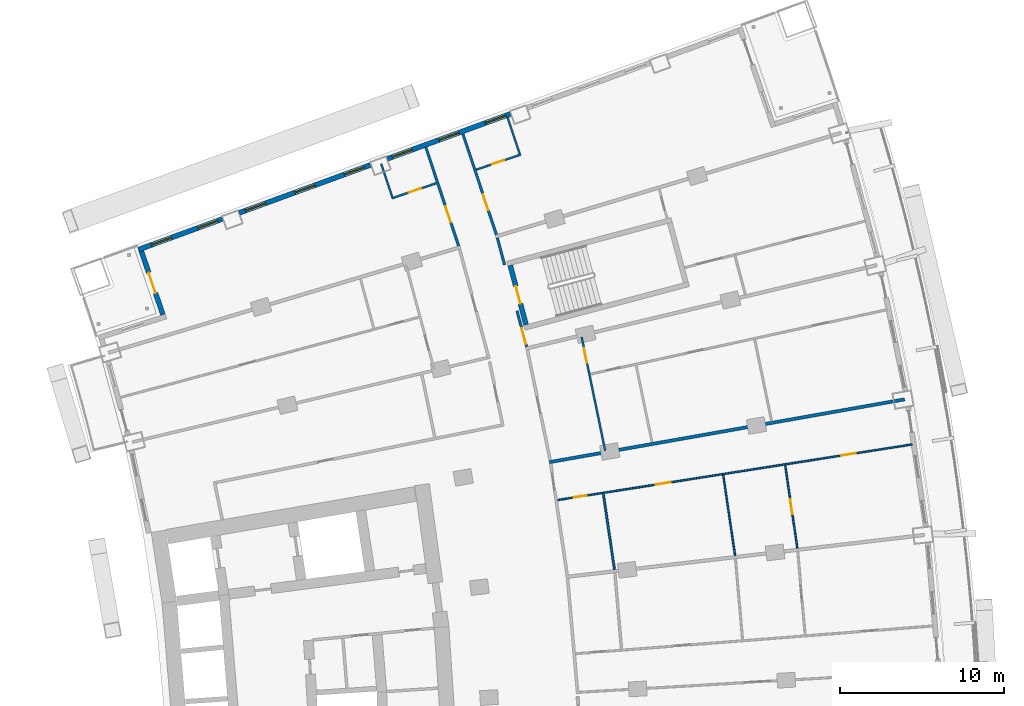
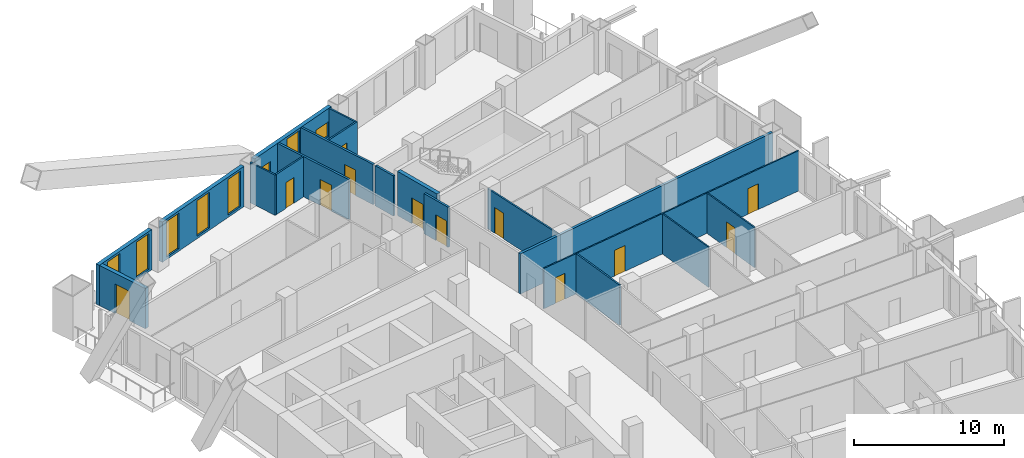
# One storey, part 20 of 25: 19 walls, 12 doors, 8 windows, 20 openings.
"""IFC4 building model written with IfcOpenShell, lengths in metres."""

from ifc_helpers import new_model, si_unit, direction, frame, frame_2d, origin, place, context, subcontext, project, spatial, rectangle, extrude, material, layer, layer_set, type_object, element, fill, save


model = new_model("IFC4")

# Units and contexts
model_context = context("Model", 3, precision=1e-05, world=origin(), true_north=direction((0.0, 1.0)))
body_context = subcontext(model_context, "Body", "Model", "MODEL_VIEW")
ifc_project = project(units=[si_unit("LENGTHUNIT", "METRE"), si_unit("AREAUNIT", "SQUARE_METRE"), si_unit("VOLUMEUNIT", "CUBIC_METRE"), si_unit("PLANEANGLEUNIT", "RADIAN"), si_unit("MASSUNIT", "GRAM", prefix="KILO")], contexts=[model_context])

# Site, building, storey
site_placement = place(None, origin())
site = spatial("IfcSite", under=ifc_project, at=site_placement, CompositionType="ELEMENT")
building_placement = place(site_placement, origin())
building = spatial("IfcBuilding", under=site, at=building_placement, Name="Alderwake Tower", CompositionType="ELEMENT")
storey_placement = place(building_placement, frame((0.0, 0.0, 42.800048828125)))
storey = spatial("IfcBuildingStorey", under=building, at=storey_placement, Name="L09", CompositionType="ELEMENT", Elevation=42.800048828125)

# Wall, opening, door
ifc_material_1 = material(Name="Concrete C70/85", Category="concrete")
ifc_layer_1 = layer(ifc_material_1, 0.300048828125)
ifc_layer_set_1 = layer_set([ifc_layer_1], Name="Core wall stair enclosure 300 C70-85")
wall_type_1 = type_object("IfcWallType", Name="Core wall stair enclosure 300 C70-85", PredefinedType="SHEAR", material=ifc_layer_set_1)
wall_1_placement = place(storey_placement, frame((37.8603515625, 90.452392578125, 0.0), z_axis=(0.0, 0.0, 1.0), x_axis=(-0.257411420208, 0.966301899381, 0.0)))
wall_1 = element("IfcWall", 1, at=wall_1_placement, inside=storey, type_object=wall_type_1, Name="Core wall CW.083", PredefinedType="SHEAR", context=body_context, shape_type="SweptSolid", body=[
    extrude(rectangle(XDim=3.750244140625, YDim=0.300048828125, at=frame_2d((1.875, 0.0))), origin(), (0.0, 0.0, 1.0), 3.599853515625),
])
opening_1_placement = place(wall_1_placement, frame((1.324951171875, 0.0, 0.0)))
opening_1 = element("IfcOpeningElement", 2, at=opening_1_placement, cuts=wall_1, Name="Opening C062", PredefinedType="OPENING", context=body_context, shape_type="SweptSolid", body=[
    extrude(rectangle(XDim=1.10009765625, YDim=2.10009765625, at=frame_2d((0.550048828125, 1.050048828125))), frame((0.0, 0.159912109375, 0.0), z_axis=(0.0, -1.0, 0.0), x_axis=(1.0, 0.0, 0.0)), (0.0, 0.0, 1.0), 0.320068359375),
])
ifc_material_2 = material(Name="Steel-framed fire door leaf", Category="steel")
door_type_1 = type_object("IfcDoorType", Name="Core stair door 1100 fire-rated", OperationType="SINGLE_SWING_LEFT", PredefinedType="DOOR", material=ifc_material_2)
door_1_placement = place(opening_1_placement, origin())
door_1 = element("IfcDoor", 3, at=door_1_placement, inside=storey, type_object=door_type_1, Name="Stair door", OperationType="SINGLE_SWING_RIGHT", OverallHeight=2.10009765625, OverallWidth=1.10009765625, PredefinedType="DOOR", context=body_context, shape_type="SweptSolid", body=[
    extrude(rectangle(XDim=1.10009765625, YDim=2.10009765625, at=frame_2d((0.550048828125, 1.050048828125))), frame((0.0, 0.02490234375, 0.0), z_axis=(0.0, -1.0, 0.0), x_axis=(1.0, 0.0, 0.0)), (0.0, 0.0, 1.0), 0.050048828125),
])
fill(opening_1, door_1)

ifc_material_3 = material(Name="Gypsum board on metal studs, rated")
ifc_layer_2 = layer(ifc_material_3, 0.159912109375)
ifc_layer_set_2 = layer_set([ifc_layer_2], Name="Corridor wall 160")
wall_type_2 = type_object("IfcWallType", Name="Corridor wall 160", PredefinedType="PARTITIONING", material=ifc_layer_set_2)
wall_2_placement = place(storey_placement, frame((33.75146484375, 95.2548828125, 0.0), z_axis=(0.0, 0.0, 1.0), x_axis=(-0.315406156735, 0.948956772616, 0.0)))
wall_2 = element("IfcWall", 4, at=wall_2_placement, inside=storey, type_object=wall_type_2, Name="WL/L09/W18", PredefinedType="PARTITIONING", context=body_context, shape_type="SweptSolid", body=[
    extrude(rectangle(XDim=6.330078125, YDim=0.159912109375, at=frame_2d((3.1650390625, 0.0))), origin(), (0.0, 0.0, 1.0), 3.280029296875),
])
opening_2_placement = place(wall_2_placement, frame((1.529052734375, 0.0, 0.0)))
opening_2 = element("IfcOpeningElement", 5, at=opening_2_placement, cuts=wall_2, Name="Opening R02-U14.1", PredefinedType="OPENING", context=body_context, shape_type="SweptSolid", body=[
    extrude(rectangle(XDim=1.0, YDim=2.10009765625, at=frame_2d((0.5, 1.050048828125))), frame((0.0, 0.08984375, 0.0), z_axis=(0.0, -1.0, 0.0), x_axis=(1.0, 0.0, 0.0)), (0.0, 0.0, 1.0), 0.179931640625),
])
ifc_material_4 = material(Name="Solid timber leaf in steel frame", Category="steel")
door_type_2 = type_object("IfcDoorType", Name="Flat entrance door 1000 fire-rated", OperationType="SINGLE_SWING_LEFT", PredefinedType="DOOR", material=ifc_material_4)
door_2_placement = place(opening_2_placement, origin())
door_2 = element("IfcDoor", 6, at=door_2_placement, inside=storey, type_object=door_type_2, Name="DR/L09/U14.1", OperationType="SINGLE_SWING_LEFT", OverallHeight=2.10009765625, OverallWidth=1.0, PredefinedType="DOOR", context=body_context, shape_type="SweptSolid", body=[
    extrude(rectangle(XDim=1.0, YDim=2.10009765625, at=frame_2d((0.5, 1.050048828125))), frame((0.0, 0.02490234375, 0.0), z_axis=(0.0, -1.0, 0.0), x_axis=(1.0, 0.0, 0.0)), (0.0, 0.0, 1.0), 0.050048828125),
])
fill(opening_2, door_2)

wall_3_placement = place(storey_placement, frame((34.010986328125, 102.083984375, 0.0), z_axis=(0.0, 0.0, 1.0), x_axis=(0.315140606423, -0.949044992708, 0.0)))
wall_3 = element("IfcWall", 7, at=wall_3_placement, inside=storey, type_object=wall_type_2, Name="WL/L09/W26", PredefinedType="PARTITIONING", context=body_context, shape_type="SweptSolid", body=[
    extrude(rectangle(XDim=6.46875, YDim=0.159912109375, at=frame_2d((3.234375, 0.0))), origin(), (0.0, 0.0, 1.0), 3.280029296875),
])
opening_3_placement = place(wall_3_placement, frame((3.897705078125, 0.0, 0.0)))
opening_3 = element("IfcOpeningElement", 8, at=opening_3_placement, cuts=wall_3, Name="Opening R02-U04.1", PredefinedType="OPENING", context=body_context, shape_type="SweptSolid", body=[
    extrude(rectangle(XDim=1.0, YDim=2.10009765625, at=frame_2d((0.5, 1.050048828125))), frame((0.0, 0.08984375, 0.0), z_axis=(0.0, -1.0, 0.0), x_axis=(1.0, 0.0, 0.0)), (0.0, 0.0, 1.0), 0.179931640625),
])
door_3_placement = place(opening_3_placement, origin())
door_3 = element("IfcDoor", 9, at=door_3_placement, inside=storey, type_object=door_type_2, Name="DR/L09/U04.1", OperationType="SINGLE_SWING_LEFT", OverallHeight=2.10009765625, OverallWidth=1.0, PredefinedType="DOOR", context=body_context, shape_type="SweptSolid", body=[
    extrude(rectangle(XDim=1.0, YDim=2.10009765625, at=frame_2d((0.5, 1.050048828125))), frame((0.0, 0.02490234375, 0.0), z_axis=(0.0, -1.0, 0.0), x_axis=(1.0, 0.0, 0.0)), (0.0, 0.0, 1.0), 0.050048828125),
])
fill(opening_3, door_3)

# Wall
wall_4_placement = place(storey_placement, frame((36.549072265625, 94.110107421875, 0.0), z_axis=(0.0, 0.0, 1.0), x_axis=(-0.259813977097, 0.965658685719, 0.0)))
element("IfcWall", 10, at=wall_4_placement, inside=storey, type_object=wall_type_2, Name="WL/L09/W29", PredefinedType="PARTITIONING", context=body_context, shape_type="SweptSolid", body=[
    extrude(rectangle(XDim=1.70166015625, YDim=0.159912109375, at=frame_2d((0.850830078125, 0.0))), origin(), (0.0, 0.0, 1.0), 3.280029296875),
])

# Wall, opening, door
wall_5_placement = place(storey_placement, frame((37.304931640625, 91.299072265625, 0.0), z_axis=(0.0, 0.0, 1.0), x_axis=(0.259946294884, -0.965623075416, 0.0)))
wall_5 = element("IfcWall", 11, at=wall_5_placement, inside=storey, type_object=wall_type_2, Name="WL/L09/W32", PredefinedType="PARTITIONING", context=body_context, shape_type="SweptSolid", body=[
    extrude(rectangle(XDim=2.255126953125, YDim=0.159912109375, at=frame_2d((1.12744140625, 0.0))), origin(), (0.0, 0.0, 1.0), 3.280029296875),
])
opening_4_placement = place(wall_5_placement, frame((1.083984375, 0.0, 0.0)))
opening_4 = element("IfcOpeningElement", 12, at=opening_4_placement, cuts=wall_5, Name="Opening R02-U02.1", PredefinedType="OPENING", context=body_context, shape_type="SweptSolid", body=[
    extrude(rectangle(XDim=1.0, YDim=2.10009765625, at=frame_2d((0.5, 1.050048828125))), frame((0.0, 0.08984375, 0.0), z_axis=(0.0, -1.0, 0.0), x_axis=(1.0, 0.0, 0.0)), (0.0, 0.0, 1.0), 0.179931640625),
])
door_4_placement = place(opening_4_placement, origin())
door_4 = element("IfcDoor", 13, at=door_4_placement, inside=storey, type_object=door_type_2, Name="DR/L09/U02.1", OperationType="SINGLE_SWING_LEFT", OverallHeight=2.10009765625, OverallWidth=1.0, PredefinedType="DOOR", context=body_context, shape_type="SweptSolid", body=[
    extrude(rectangle(XDim=1.0, YDim=2.10009765625, at=frame_2d((0.5, 1.050048828125))), frame((0.0, 0.02490234375, 0.0), z_axis=(0.0, -1.0, 0.0), x_axis=(1.0, 0.0, 0.0)), (0.0, 0.0, 1.0), 0.050048828125),
])
fill(opening_4, door_4)

# Wall, openings, windows
ifc_material_5 = material(Name="Bronze metal cladding on lightweight framing")
ifc_layer_3 = layer(ifc_material_5, 0.300048828125)
ifc_layer_set_3 = layer_set([ifc_layer_3], Name="External wall EW2 bronze metal cladding")
wall_type_3 = type_object("IfcWallType", Name="External wall EW2 bronze metal cladding", PredefinedType="SOLIDWALL", material=ifc_layer_set_3)
wall_6_placement = place(storey_placement, frame((36.896484375, 103.2978515625, 0.0), z_axis=(0.0, 0.0, 1.0), x_axis=(-0.93937644601, -0.342887580237, 0.0)))
wall_6 = element("IfcWall", 14, at=wall_6_placement, inside=storey, type_object=wall_type_3, Name="External wall 27", PredefinedType="SOLIDWALL", context=body_context, shape_type="SweptSolid", body=[
    extrude(rectangle(XDim=7.96240234375, YDim=0.300048828125, at=frame_2d((3.981201171875, 0.0))), origin(), (0.0, 0.0, 1.0), 3.280029296875),
])
opening_5_placement = place(wall_6_placement, frame((0.30908203125, 0.0, 1.0)))
opening_5 = element("IfcOpeningElement", 15, at=opening_5_placement, cuts=wall_6, Name="Opening W2", PredefinedType="OPENING", context=body_context, shape_type="SweptSolid", body=[
    extrude(rectangle(XDim=1.300048828125, YDim=1.199951171875, at=frame_2d((0.64990234375, 0.60009765625))), frame((0.0, 0.159912109375, 0.0), z_axis=(0.0, -1.0, 0.0), x_axis=(1.0, 0.0, 0.0)), (0.0, 0.0, 1.0), 0.320068359375),
])
opening_6_placement = place(wall_6_placement, frame((3.331298828125, 0.0, 0.199951171875)))
opening_6 = element("IfcOpeningElement", 16, at=opening_6_placement, cuts=wall_6, Name="Opening W1", PredefinedType="OPENING", context=body_context, shape_type="SweptSolid", body=[
    extrude(rectangle(XDim=1.300048828125, YDim=2.89990234375, at=frame_2d((0.64990234375, 1.449951171875))), frame((0.0, 0.159912109375, 0.0), z_axis=(0.0, -1.0, 0.0), x_axis=(1.0, 0.0, 0.0)), (0.0, 0.0, 1.0), 0.320068359375),
])
opening_7_placement = place(wall_6_placement, frame((6.353515625, 0.0, 1.0)))
opening_7 = element("IfcOpeningElement", 17, at=opening_7_placement, cuts=wall_6, Name="Opening W2", PredefinedType="OPENING", context=body_context, shape_type="SweptSolid", body=[
    extrude(rectangle(XDim=1.300048828125, YDim=1.199951171875, at=frame_2d((0.64990234375, 0.60009765625))), frame((0.0, 0.159912109375, 0.0), z_axis=(0.0, -1.0, 0.0), x_axis=(1.0, 0.0, 0.0)), (0.0, 0.0, 1.0), 0.320068359375),
])
ifc_material_6 = material(Name="Bronze tinted glass in aluminium frame", Category="aluminium")
window_type_1 = type_object("IfcWindowType", Name="Window W1 tall fixed and vent", PartitioningType="DOUBLE_PANEL_VERTICAL", PredefinedType="WINDOW", material=ifc_material_6)
window_1_placement = place(opening_6_placement, origin())
window_1 = element("IfcWindow", 18, at=window_1_placement, inside=storey, type_object=window_type_1, Name="Window W1 tall fixed and vent", OverallHeight=2.89990234375, OverallWidth=1.300048828125, PartitioningType="DOUBLE_PANEL_VERTICAL", PredefinedType="WINDOW", context=body_context, shape_type="SweptSolid", body=[
    extrude(rectangle(XDim=1.300048828125, YDim=2.89990234375, at=frame_2d((0.64990234375, 1.449951171875))), frame((0.0, 0.030029296875, 0.0), z_axis=(0.0, -1.0, 0.0), x_axis=(1.0, 0.0, 0.0)), (0.0, 0.0, 1.0), 0.06005859375),
])
fill(opening_6, window_1)
ifc_material_7 = material(Name="Bronze tinted glass in aluminium frame", Category="aluminium")
window_type_2 = type_object("IfcWindowType", Name="Window W2 kitchen and bath", PartitioningType="SINGLE_PANEL", PredefinedType="WINDOW", material=ifc_material_7)
window_2_placement = place(opening_5_placement, origin())
window_2 = element("IfcWindow", 19, at=window_2_placement, inside=storey, type_object=window_type_2, Name="Window W2 kitchen and bath", OverallHeight=1.199951171875, OverallWidth=1.300048828125, PartitioningType="SINGLE_PANEL", PredefinedType="WINDOW", context=body_context, shape_type="SweptSolid", body=[
    extrude(rectangle(XDim=1.300048828125, YDim=1.199951171875, at=frame_2d((0.64990234375, 0.60009765625))), frame((0.0, 0.030029296875, 0.0), z_axis=(0.0, -1.0, 0.0), x_axis=(1.0, 0.0, 0.0)), (0.0, 0.0, 1.0), 0.06005859375),
])
fill(opening_5, window_2)
window_3_placement = place(opening_7_placement, origin())
window_3 = element("IfcWindow", 20, at=window_3_placement, inside=storey, type_object=window_type_2, Name="Window W2 kitchen and bath", OverallHeight=1.199951171875, OverallWidth=1.300048828125, PartitioningType="SINGLE_PANEL", PredefinedType="WINDOW", context=body_context, shape_type="SweptSolid", body=[
    extrude(rectangle(XDim=1.300048828125, YDim=1.199951171875, at=frame_2d((0.64990234375, 0.60009765625))), frame((0.0, 0.030029296875, 0.0), z_axis=(0.0, -1.0, 0.0), x_axis=(1.0, 0.0, 0.0)), (0.0, 0.0, 1.0), 0.06005859375),
])
fill(opening_7, window_3)

wall_7_placement = place(storey_placement, frame((28.37890625, 100.18896484375, 0.0), z_axis=(0.0, 0.0, 1.0), x_axis=(-0.939369809957, -0.342905759856, 0.0)))
wall_7 = element("IfcWall", 21, at=wall_7_placement, inside=storey, type_object=wall_type_3, Name="External wall 28", PredefinedType="SOLIDWALL", context=body_context, shape_type="SweptSolid", body=[
    extrude(rectangle(XDim=8.495361328125, YDim=0.300048828125, at=frame_2d((4.24755859375, 0.0))), origin(), (0.0, 0.0, 1.0), 3.280029296875),
])
opening_8_placement = place(wall_7_placement, frame((0.397705078125, 0.0, 0.199951171875)))
opening_8 = element("IfcOpeningElement", 22, at=opening_8_placement, cuts=wall_7, Name="Opening W1", PredefinedType="OPENING", context=body_context, shape_type="SweptSolid", body=[
    extrude(rectangle(XDim=1.300048828125, YDim=2.89990234375, at=frame_2d((0.64990234375, 1.449951171875))), frame((0.0, 0.159912109375, 0.0), z_axis=(0.0, -1.0, 0.0), x_axis=(1.0, 0.0, 0.0)), (0.0, 0.0, 1.0), 0.320068359375),
])
opening_9_placement = place(wall_7_placement, frame((3.59765625, 0.0, 0.199951171875)))
opening_9 = element("IfcOpeningElement", 23, at=opening_9_placement, cuts=wall_7, Name="Opening W1", PredefinedType="OPENING", context=body_context, shape_type="SweptSolid", body=[
    extrude(rectangle(XDim=1.300048828125, YDim=2.89990234375, at=frame_2d((0.64990234375, 1.449951171875))), frame((0.0, 0.159912109375, 0.0), z_axis=(0.0, -1.0, 0.0), x_axis=(1.0, 0.0, 0.0)), (0.0, 0.0, 1.0), 0.320068359375),
])
opening_10_placement = place(wall_7_placement, frame((6.7978515625, 0.0, 0.199951171875)))
opening_10 = element("IfcOpeningElement", 24, at=opening_10_placement, cuts=wall_7, Name="Opening W1", PredefinedType="OPENING", context=body_context, shape_type="SweptSolid", body=[
    extrude(rectangle(XDim=1.300048828125, YDim=2.89990234375, at=frame_2d((0.64990234375, 1.449951171875))), frame((0.0, 0.159912109375, 0.0), z_axis=(0.0, -1.0, 0.0), x_axis=(1.0, 0.0, 0.0)), (0.0, 0.0, 1.0), 0.320068359375),
])
window_4_placement = place(opening_8_placement, origin())
window_4 = element("IfcWindow", 25, at=window_4_placement, inside=storey, type_object=window_type_1, Name="Window W1 tall fixed and vent", OverallHeight=2.89990234375, OverallWidth=1.300048828125, PartitioningType="DOUBLE_PANEL_VERTICAL", PredefinedType="WINDOW", context=body_context, shape_type="SweptSolid", body=[
    extrude(rectangle(XDim=1.300048828125, YDim=2.89990234375, at=frame_2d((0.64990234375, 1.449951171875))), frame((0.0, 0.030029296875, 0.0), z_axis=(0.0, -1.0, 0.0), x_axis=(1.0, 0.0, 0.0)), (0.0, 0.0, 1.0), 0.06005859375),
])
fill(opening_8, window_4)
window_5_placement = place(opening_9_placement, origin())
window_5 = element("IfcWindow", 26, at=window_5_placement, inside=storey, type_object=window_type_1, Name="Window W1 tall fixed and vent", OverallHeight=2.89990234375, OverallWidth=1.300048828125, PartitioningType="DOUBLE_PANEL_VERTICAL", PredefinedType="WINDOW", context=body_context, shape_type="SweptSolid", body=[
    extrude(rectangle(XDim=1.300048828125, YDim=2.89990234375, at=frame_2d((0.64990234375, 1.449951171875))), frame((0.0, 0.030029296875, 0.0), z_axis=(0.0, -1.0, 0.0), x_axis=(1.0, 0.0, 0.0)), (0.0, 0.0, 1.0), 0.06005859375),
])
fill(opening_9, window_5)
window_6_placement = place(opening_10_placement, origin())
window_6 = element("IfcWindow", 27, at=window_6_placement, inside=storey, type_object=window_type_1, Name="Window W1 tall fixed and vent", OverallHeight=2.89990234375, OverallWidth=1.300048828125, PartitioningType="DOUBLE_PANEL_VERTICAL", PredefinedType="WINDOW", context=body_context, shape_type="SweptSolid", body=[
    extrude(rectangle(XDim=1.300048828125, YDim=2.89990234375, at=frame_2d((0.64990234375, 1.449951171875))), frame((0.0, 0.030029296875, 0.0), z_axis=(0.0, -1.0, 0.0), x_axis=(1.0, 0.0, 0.0)), (0.0, 0.0, 1.0), 0.06005859375),
])
fill(opening_10, window_6)

wall_8_placement = place(storey_placement, frame((19.360595703125, 96.89697265625, 0.0), z_axis=(0.0, 0.0, 1.0), x_axis=(-0.939360985368, -0.342929933321, 0.0)))
wall_8 = element("IfcWall", 28, at=wall_8_placement, inside=storey, type_object=wall_type_3, Name="External wall 29", PredefinedType="SOLIDWALL", context=body_context, shape_type="SweptSolid", body=[
    extrude(rectangle(XDim=5.448974609375, YDim=0.300048828125, at=frame_2d((2.724609375, 0.0))), origin(), (0.0, 0.0, 1.0), 3.280029296875),
])
opening_11_placement = place(wall_8_placement, frame((0.2978515625, 0.0, 0.199951171875)))
opening_11 = element("IfcOpeningElement", 29, at=opening_11_placement, cuts=wall_8, Name="Opening W1", PredefinedType="OPENING", context=body_context, shape_type="SweptSolid", body=[
    extrude(rectangle(XDim=1.300048828125, YDim=2.89990234375, at=frame_2d((0.64990234375, 1.449951171875))), frame((0.0, 0.159912109375, 0.0), z_axis=(0.0, -1.0, 0.0), x_axis=(1.0, 0.0, 0.0)), (0.0, 0.0, 1.0), 0.320068359375),
])
opening_12_placement = place(wall_8_placement, frame((3.298583984375, 0.0, 0.199951171875)))
opening_12 = element("IfcOpeningElement", 30, at=opening_12_placement, cuts=wall_8, Name="Opening W1", PredefinedType="OPENING", context=body_context, shape_type="SweptSolid", body=[
    extrude(rectangle(XDim=1.300048828125, YDim=2.89990234375, at=frame_2d((0.64990234375, 1.449951171875))), frame((0.0, 0.159912109375, 0.0), z_axis=(0.0, -1.0, 0.0), x_axis=(1.0, 0.0, 0.0)), (0.0, 0.0, 1.0), 0.320068359375),
])
window_7_placement = place(opening_11_placement, origin())
window_7 = element("IfcWindow", 31, at=window_7_placement, inside=storey, type_object=window_type_1, Name="Window W1 tall fixed and vent", OverallHeight=2.89990234375, OverallWidth=1.300048828125, PartitioningType="DOUBLE_PANEL_VERTICAL", PredefinedType="WINDOW", context=body_context, shape_type="SweptSolid", body=[
    extrude(rectangle(XDim=1.300048828125, YDim=2.89990234375, at=frame_2d((0.64990234375, 1.449951171875))), frame((0.0, 0.030029296875, 0.0), z_axis=(0.0, -1.0, 0.0), x_axis=(1.0, 0.0, 0.0)), (0.0, 0.0, 1.0), 0.06005859375),
])
fill(opening_11, window_7)
window_8_placement = place(opening_12_placement, origin())
window_8 = element("IfcWindow", 32, at=window_8_placement, inside=storey, type_object=window_type_1, Name="Window W1 tall fixed and vent", OverallHeight=2.89990234375, OverallWidth=1.300048828125, PartitioningType="DOUBLE_PANEL_VERTICAL", PredefinedType="WINDOW", context=body_context, shape_type="SweptSolid", body=[
    extrude(rectangle(XDim=1.300048828125, YDim=2.89990234375, at=frame_2d((0.64990234375, 1.449951171875))), frame((0.0, 0.030029296875, 0.0), z_axis=(0.0, -1.0, 0.0), x_axis=(1.0, 0.0, 0.0)), (0.0, 0.0, 1.0), 0.06005859375),
])
fill(opening_12, window_8)

# Wall, opening, door
wall_9_placement = place(storey_placement, frame((14.430908203125, 94.937744140625, 0.0), z_axis=(0.0, 0.0, 1.0), x_axis=(0.320379458656, -0.947289291859, 0.0)))
wall_9 = element("IfcWall", 33, at=wall_9_placement, inside=storey, type_object=wall_type_3, Name="External wall 30", PredefinedType="SOLIDWALL", context=body_context, shape_type="SweptSolid", body=[
    extrude(rectangle(XDim=4.08984375, YDim=0.300048828125, at=frame_2d((2.044921875, 0.0))), origin(), (0.0, 0.0, 1.0), 3.280029296875),
])
opening_13_placement = place(wall_9_placement, frame((1.39501953125, 0.0, 0.0)))
opening_13 = element("IfcOpeningElement", 34, at=opening_13_placement, cuts=wall_9, Name="Opening D14", PredefinedType="OPENING", context=body_context, shape_type="SweptSolid", body=[
    extrude(rectangle(XDim=1.300048828125, YDim=2.39990234375, at=frame_2d((0.64990234375, 1.199951171875))), frame((0.0, 0.159912109375, 0.0), z_axis=(0.0, -1.0, 0.0), x_axis=(1.0, 0.0, 0.0)), (0.0, 0.0, 1.0), 0.320068359375),
])
ifc_material_8 = material(Name="Bronze tinted glass in aluminium frame", Category="aluminium")
door_type_3 = type_object("IfcDoorType", Name="Balcony door BD sliding", OperationType="SLIDING_TO_LEFT", PredefinedType="DOOR", material=ifc_material_8)
door_5_placement = place(opening_13_placement, origin())
door_5 = element("IfcDoor", 35, at=door_5_placement, inside=storey, type_object=door_type_3, Name="Door D14", OperationType="SLIDING_TO_LEFT", OverallHeight=2.39990234375, OverallWidth=1.300048828125, PredefinedType="DOOR", context=body_context, shape_type="SweptSolid", body=[
    extrude(rectangle(XDim=1.300048828125, YDim=2.39990234375, at=frame_2d((0.64990234375, 1.199951171875))), frame((0.0, 0.02490234375, 0.0), z_axis=(0.0, -1.0, 0.0), x_axis=(1.0, 0.0, 0.0)), (0.0, 0.0, 1.0), 0.050048828125),
])
fill(opening_13, door_5)

# Wall
ifc_material_9 = material(Name="Dense block masonry wall", Category="masonry")
ifc_layer_4 = layer(ifc_material_9, 0.199951171875)
ifc_layer_set_4 = layer_set([ifc_layer_4], Name="Party wall 200")
wall_type_4 = type_object("IfcWallType", Name="Party wall 200", PredefinedType="SOLIDWALL", material=ifc_layer_set_4)
wall_10_placement = place(storey_placement, frame((60.9150390625, 85.9140625, 0.0), z_axis=(0.0, 0.0, 1.0), x_axis=(-0.984728497917, -0.174097057385, 0.0)))
element("IfcWall", 36, at=wall_10_placement, inside=storey, type_object=wall_type_4, Name="WL/L09/W09", PredefinedType="SOLIDWALL", context=body_context, shape_type="SweptSolid", body=[
    extrude(rectangle(XDim=21.9814453125, YDim=0.199951171875, at=frame_2d((10.99072265625, 0.0))), origin(), (0.0, 0.0, 1.0), 3.280029296875),
])

# Wall, openings, doors
ifc_material_10 = material(Name="Gypsum board on metal studs")
ifc_layer_5 = layer(ifc_material_10, 0.10009765625)
ifc_layer_set_5 = layer_set([ifc_layer_5], Name="Unit partition 100")
wall_type_5 = type_object("IfcWallType", Name="Unit partition 100", PredefinedType="PARTITIONING", material=ifc_layer_set_5)
wall_11_placement = place(storey_placement, frame((61.367919921875, 83.1689453125, 0.0), z_axis=(0.0, 0.0, 1.0), x_axis=(-0.987930619591, -0.154897033134, 0.0)))
wall_11 = element("IfcWall", 37, at=wall_11_placement, inside=storey, type_object=wall_type_5, Name="WL/L09/W67", PredefinedType="PARTITIONING", context=body_context, shape_type="SweptSolid", body=[
    extrude(rectangle(XDim=21.86279296875, YDim=0.10009765625, at=frame_2d((10.931396484375, 0.0))), origin(), (0.0, 0.0, 1.0), 3.280029296875),
])
opening_14_placement = place(wall_11_placement, frame((14.89697265625, 0.0, 0.0)))
opening_14 = element("IfcOpeningElement", 38, at=opening_14_placement, cuts=wall_11, Name="Opening R02-U09.1", PredefinedType="OPENING", context=body_context, shape_type="SweptSolid", body=[
    extrude(rectangle(XDim=0.89990234375, YDim=2.10009765625, at=frame_2d((0.449951171875, 1.050048828125))), frame((0.0, 0.06005859375, 0.0), z_axis=(0.0, -1.0, 0.0), x_axis=(1.0, 0.0, 0.0)), (0.0, 0.0, 1.0), 0.1201171875),
])
opening_15_placement = place(wall_11_placement, frame((20.052734375, 0.0, 0.0)))
opening_15 = element("IfcOpeningElement", 39, at=opening_15_placement, cuts=wall_11, Name="Opening R02-U09.4", PredefinedType="OPENING", context=body_context, shape_type="SweptSolid", body=[
    extrude(rectangle(XDim=0.800048828125, YDim=2.10009765625, at=frame_2d((0.39990234375, 1.050048828125))), frame((0.0, 0.06005859375, 0.0), z_axis=(0.0, -1.0, 0.0), x_axis=(1.0, 0.0, 0.0)), (0.0, 0.0, 1.0), 0.1201171875),
])
opening_16_placement = place(wall_11_placement, frame((3.465087890625, 0.0, 0.0)))
opening_16 = element("IfcOpeningElement", 40, at=opening_16_placement, cuts=wall_11, Name="Opening R02-U09.5", PredefinedType="OPENING", context=body_context, shape_type="SweptSolid", body=[
    extrude(rectangle(XDim=0.89990234375, YDim=2.10009765625, at=frame_2d((0.449951171875, 1.050048828125))), frame((0.0, 0.06005859375, 0.0), z_axis=(0.0, -1.0, 0.0), x_axis=(1.0, 0.0, 0.0)), (0.0, 0.0, 1.0), 0.1201171875),
])
ifc_material_11 = material(Name="Painted timber leaf", Category="wood")
door_type_4 = type_object("IfcDoorType", Name="Bathroom door 800", OperationType="SINGLE_SWING_LEFT", PredefinedType="DOOR", material=ifc_material_11)
door_6_placement = place(opening_15_placement, origin())
door_6 = element("IfcDoor", 41, at=door_6_placement, inside=storey, type_object=door_type_4, Name="DR/L09/U09.4", OperationType="SINGLE_SWING_LEFT", OverallHeight=2.10009765625, OverallWidth=0.800048828125, PredefinedType="DOOR", context=body_context, shape_type="SweptSolid", body=[
    extrude(rectangle(XDim=0.800048828125, YDim=2.10009765625, at=frame_2d((0.39990234375, 1.050048828125))), frame((0.0, 0.02490234375, 0.0), z_axis=(0.0, -1.0, 0.0), x_axis=(1.0, 0.0, 0.0)), (0.0, 0.0, 1.0), 0.050048828125),
])
fill(opening_15, door_6)
ifc_material_12 = material(Name="Painted timber leaf", Category="wood")
door_type_5 = type_object("IfcDoorType", Name="Room door 900", OperationType="SINGLE_SWING_LEFT", PredefinedType="DOOR", material=ifc_material_12)
door_7_placement = place(opening_14_placement, origin())
door_7 = element("IfcDoor", 42, at=door_7_placement, inside=storey, type_object=door_type_5, Name="DR/L09/U09.1", OperationType="SINGLE_SWING_LEFT", OverallHeight=2.10009765625, OverallWidth=0.89990234375, PredefinedType="DOOR", context=body_context, shape_type="SweptSolid", body=[
    extrude(rectangle(XDim=0.89990234375, YDim=2.10009765625, at=frame_2d((0.449951171875, 1.050048828125))), frame((0.0, 0.02490234375, 0.0), z_axis=(0.0, -1.0, 0.0), x_axis=(1.0, 0.0, 0.0)), (0.0, 0.0, 1.0), 0.050048828125),
])
fill(opening_14, door_7)
door_8_placement = place(opening_16_placement, origin())
door_8 = element("IfcDoor", 43, at=door_8_placement, inside=storey, type_object=door_type_5, Name="DR/L09/U09.5", OperationType="SINGLE_SWING_LEFT", OverallHeight=2.10009765625, OverallWidth=0.89990234375, PredefinedType="DOOR", context=body_context, shape_type="SweptSolid", body=[
    extrude(rectangle(XDim=0.89990234375, YDim=2.10009765625, at=frame_2d((0.449951171875, 1.050048828125))), frame((0.0, 0.02490234375, 0.0), z_axis=(0.0, -1.0, 0.0), x_axis=(1.0, 0.0, 0.0)), (0.0, 0.0, 1.0), 0.050048828125),
])
fill(opening_16, door_8)

# Wall
wall_12_placement = place(storey_placement, frame((50.58642578125, 76.404052734375, 0.0), z_axis=(0.0, 0.0, 1.0), x_axis=(-0.145447275975, 0.98936600402, 0.0)))
element("IfcWall", 44, at=wall_12_placement, inside=storey, type_object=wall_type_5, Name="WL/L09/W79", PredefinedType="PARTITIONING", context=body_context, shape_type="SweptSolid", body=[
    extrude(rectangle(XDim=4.965087890625, YDim=0.10009765625, at=frame_2d((2.482421875, 0.0))), origin(), (0.0, 0.0, 1.0), 3.280029296875),
])

# Wall, opening, door
wall_13_placement = place(storey_placement, frame((54.381591796875, 76.85107421875, 0.0), z_axis=(0.0, 0.0, 1.0), x_axis=(-0.14545960896, 0.989364190863, 0.0)))
wall_13 = element("IfcWall", 45, at=wall_13_placement, inside=storey, type_object=wall_type_5, Name="WL/L09/W88", PredefinedType="PARTITIONING", context=body_context, shape_type="SweptSolid", body=[
    extrude(rectangle(XDim=5.11083984375, YDim=0.10009765625, at=frame_2d((2.555419921875, 0.0))), origin(), (0.0, 0.0, 1.0), 3.280029296875),
])
opening_17_placement = place(wall_13_placement, frame((2.10546875, 0.0, 0.0)))
opening_17 = element("IfcOpeningElement", 46, at=opening_17_placement, cuts=wall_13, Name="Opening R02-U09.2", PredefinedType="OPENING", context=body_context, shape_type="SweptSolid", body=[
    extrude(rectangle(XDim=0.89990234375, YDim=2.10009765625, at=frame_2d((0.449951171875, 1.050048828125))), frame((0.0, 0.06005859375, 0.0), z_axis=(0.0, -1.0, 0.0), x_axis=(1.0, 0.0, 0.0)), (0.0, 0.0, 1.0), 0.1201171875),
])
door_9_placement = place(opening_17_placement, origin())
door_9 = element("IfcDoor", 47, at=door_9_placement, inside=storey, type_object=door_type_5, Name="DR/L09/U09.2", OperationType="SINGLE_SWING_LEFT", OverallHeight=2.10009765625, OverallWidth=0.89990234375, PredefinedType="DOOR", context=body_context, shape_type="SweptSolid", body=[
    extrude(rectangle(XDim=0.89990234375, YDim=2.10009765625, at=frame_2d((0.449951171875, 1.050048828125))), frame((0.0, 0.02490234375, 0.0), z_axis=(0.0, -1.0, 0.0), x_axis=(1.0, 0.0, 0.0)), (0.0, 0.0, 1.0), 0.050048828125),
])
fill(opening_17, door_9)

# Wall
ifc_material_13 = material(Name="Moisture resistant gypsum board on metal studs")
ifc_layer_6 = layer(ifc_material_13, 0.1201171875)
ifc_layer_set_6 = layer_set([ifc_layer_6], Name="Wet room partition 120")
wall_type_6 = type_object("IfcWallType", Name="Wet room partition 120", PredefinedType="PARTITIONING", material=ifc_layer_set_6)
wall_14_placement = place(storey_placement, frame((29.031005859375, 100.26611328125, 0.0), z_axis=(0.0, 0.0, 1.0), x_axis=(0.315774774353, -0.948834175123, 0.0)))
element("IfcWall", 48, at=wall_14_placement, inside=storey, type_object=wall_type_6, Name="WL/L09/W41", PredefinedType="PARTITIONING", context=body_context, shape_type="SweptSolid", body=[
    extrude(rectangle(XDim=2.263671875, YDim=0.1201171875, at=frame_2d((1.1318359375, 0.0))), origin(), (0.0, 0.0, 1.0), 3.280029296875),
])

# Wall, opening, door
wall_15_placement = place(storey_placement, frame((29.78369140625, 98.1943359375, 0.0), z_axis=(0.0, 0.0, 1.0), x_axis=(0.947131995712, 0.320844171989, 0.0)))
wall_15 = element("IfcWall", 49, at=wall_15_placement, inside=storey, type_object=wall_type_6, Name="WL/L09/W43", PredefinedType="PARTITIONING", context=body_context, shape_type="SweptSolid", body=[
    extrude(rectangle(XDim=2.75830078125, YDim=0.1201171875, at=frame_2d((1.379150390625, 0.0))), origin(), (0.0, 0.0, 1.0), 3.280029296875),
])
opening_18_placement = place(wall_15_placement, frame((0.97900390625, 0.0, 0.0)))
opening_18 = element("IfcOpeningElement", 50, at=opening_18_placement, cuts=wall_15, Name="Opening R02-U14.2", PredefinedType="OPENING", context=body_context, shape_type="SweptSolid", body=[
    extrude(rectangle(XDim=0.800048828125, YDim=2.10009765625, at=frame_2d((0.39990234375, 1.050048828125))), frame((0.0, 0.070068359375, 0.0), z_axis=(0.0, -1.0, 0.0), x_axis=(1.0, 0.0, 0.0)), (0.0, 0.0, 1.0), 0.14013671875),
])
door_10_placement = place(opening_18_placement, origin())
door_10 = element("IfcDoor", 51, at=door_10_placement, inside=storey, type_object=door_type_4, Name="DR/L09/U14.2", OperationType="SINGLE_SWING_LEFT", OverallHeight=2.10009765625, OverallWidth=0.800048828125, PredefinedType="DOOR", context=body_context, shape_type="SweptSolid", body=[
    extrude(rectangle(XDim=0.800048828125, YDim=2.10009765625, at=frame_2d((0.39990234375, 1.050048828125))), frame((0.0, 0.02490234375, 0.0), z_axis=(0.0, -1.0, 0.0), x_axis=(1.0, 0.0, 0.0)), (0.0, 0.0, 1.0), 0.050048828125),
])
fill(opening_18, door_10)

wall_16_placement = place(storey_placement, frame((34.81884765625, 99.901611328125, 0.0), z_axis=(0.0, 0.0, 1.0), x_axis=(0.947119631015, 0.32088067026, 0.0)))
wall_16 = element("IfcWall", 52, at=wall_16_placement, inside=storey, type_object=wall_type_6, Name="WL/L09/W47", PredefinedType="PARTITIONING", context=body_context, shape_type="SweptSolid", body=[
    extrude(rectangle(XDim=2.878173828125, YDim=0.1201171875, at=frame_2d((1.43896484375, 0.0))), origin(), (0.0, 0.0, 1.0), 3.280029296875),
])
opening_19_placement = place(wall_16_placement, frame((1.009765625, 0.0, 0.0)))
opening_19 = element("IfcOpeningElement", 53, at=opening_19_placement, cuts=wall_16, Name="Opening R02-U04.2", PredefinedType="OPENING", context=body_context, shape_type="SweptSolid", body=[
    extrude(rectangle(XDim=0.800048828125, YDim=2.10009765625, at=frame_2d((0.39990234375, 1.050048828125))), frame((0.0, 0.070068359375, 0.0), z_axis=(0.0, -1.0, 0.0), x_axis=(1.0, 0.0, 0.0)), (0.0, 0.0, 1.0), 0.14013671875),
])
door_11_placement = place(opening_19_placement, origin())
door_11 = element("IfcDoor", 54, at=door_11_placement, inside=storey, type_object=door_type_4, Name="DR/L09/U04.2", OperationType="SINGLE_SWING_LEFT", OverallHeight=2.10009765625, OverallWidth=0.800048828125, PredefinedType="DOOR", context=body_context, shape_type="SweptSolid", body=[
    extrude(rectangle(XDim=0.800048828125, YDim=2.10009765625, at=frame_2d((0.39990234375, 1.050048828125))), frame((0.0, 0.02490234375, 0.0), z_axis=(0.0, -1.0, 0.0), x_axis=(1.0, 0.0, 0.0)), (0.0, 0.0, 1.0), 0.050048828125),
])
fill(opening_19, door_11)

# Wall
wall_17_placement = place(storey_placement, frame((37.468994140625, 100.863037109375, 0.0), z_axis=(0.0, 0.0, 1.0), x_axis=(-0.314251248963, 0.94933985091, 0.0)))
element("IfcWall", 55, at=wall_17_placement, inside=storey, type_object=wall_type_6, Name="WL/L09/W50", PredefinedType="PARTITIONING", context=body_context, shape_type="SweptSolid", body=[
    extrude(rectangle(XDim=2.33544921875, YDim=0.1201171875, at=frame_2d((1.167724609375, 0.0))), origin(), (0.0, 0.0, 1.0), 3.280029296875),
])

# Wall, opening, door
wall_18_placement = place(storey_placement, frame((41.243408203125, 89.712890625, 0.0), z_axis=(0.0, 0.0, 1.0), x_axis=(0.202695854643, -0.979241742631, 0.0)))
wall_18 = element("IfcWall", 56, at=wall_18_placement, inside=storey, type_object=wall_type_6, Name="WL/L09/W52", PredefinedType="PARTITIONING", context=body_context, shape_type="SweptSolid", body=[
    extrude(rectangle(XDim=7.066650390625, YDim=0.1201171875, at=frame_2d((3.533203125, 0.0))), origin(), (0.0, 0.0, 1.0), 3.280029296875),
])
opening_20_placement = place(wall_18_placement, frame((0.711669921875, 0.0, 0.0)))
opening_20 = element("IfcOpeningElement", 57, at=opening_20_placement, cuts=wall_18, Name="Opening R02-U10.3", PredefinedType="OPENING", context=body_context, shape_type="SweptSolid", body=[
    extrude(rectangle(XDim=0.89990234375, YDim=2.10009765625, at=frame_2d((0.449951171875, 1.050048828125))), frame((0.0, 0.070068359375, 0.0), z_axis=(0.0, -1.0, 0.0), x_axis=(1.0, 0.0, 0.0)), (0.0, 0.0, 1.0), 0.14013671875),
])
door_12_placement = place(opening_20_placement, origin())
door_12 = element("IfcDoor", 58, at=door_12_placement, inside=storey, type_object=door_type_5, Name="DR/L09/U10.3", OperationType="SINGLE_SWING_LEFT", OverallHeight=2.10009765625, OverallWidth=0.89990234375, PredefinedType="DOOR", context=body_context, shape_type="SweptSolid", body=[
    extrude(rectangle(XDim=0.89990234375, YDim=2.10009765625, at=frame_2d((0.449951171875, 1.050048828125))), frame((0.0, 0.02490234375, 0.0), z_axis=(0.0, -1.0, 0.0), x_axis=(1.0, 0.0, 0.0)), (0.0, 0.0, 1.0), 0.050048828125),
])
fill(opening_20, door_12)

# Wall
wall_19_placement = place(storey_placement, frame((43.242431640625, 75.5458984375, 0.0), z_axis=(0.0, 0.0, 1.0), x_axis=(-0.145515042, 0.989356039326, 0.0)))
element("IfcWall", 59, at=wall_19_placement, inside=storey, type_object=wall_type_6, Name="WL/L09/W54", PredefinedType="PARTITIONING", context=body_context, shape_type="SweptSolid", body=[
    extrude(rectangle(XDim=4.67431640625, YDim=0.1201171875, at=frame_2d((2.337158203125, 0.0))), origin(), (0.0, 0.0, 1.0), 3.280029296875),
])

save(model, "model.ifc")
